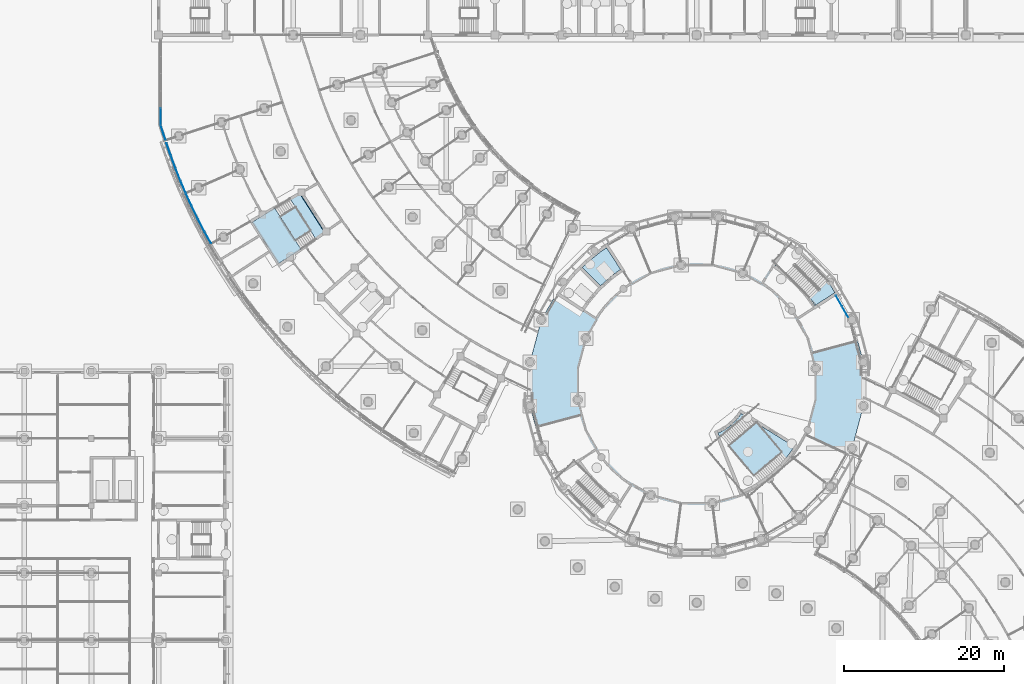
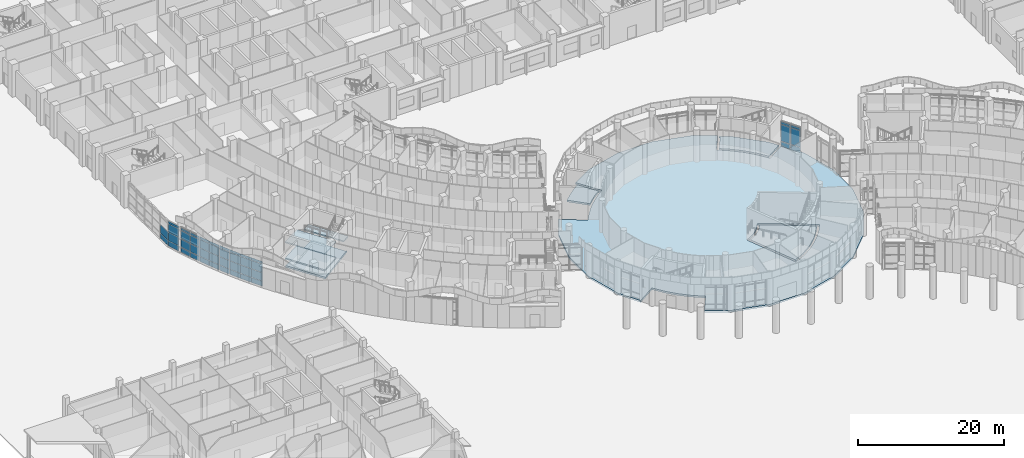
# One storey, part 43 of 146: 44 plates, 8 slabs, 6 elements without a shape of their own.
"""IFC4 building model written with IfcOpenShell, lengths in metres."""

from ifc_helpers import new_model, si_unit, direction, frame, origin, origin_2d, place, context, subcontext, project, spatial, polyline, rectangle, outline, extrude, material, layer, layer_set, type_object, element, aggregate, save


model = new_model("IFC4")

# Units and contexts
model_context = context("Model", 3, precision=1e-05, world=origin(), true_north=direction((0.0, 1.0)))
body_context = subcontext(model_context, "Body", "Model", "MODEL_VIEW")
ifc_project = project(units=[si_unit("LENGTHUNIT", "METRE"), si_unit("AREAUNIT", "SQUARE_METRE"), si_unit("VOLUMEUNIT", "CUBIC_METRE"), si_unit("PLANEANGLEUNIT", "RADIAN"), si_unit("MASSUNIT", "GRAM", prefix="KILO")], contexts=[model_context])

# Site, building, storey
site_placement = place(None, origin())
site = spatial("IfcSite", under=ifc_project, at=site_placement, CompositionType="ELEMENT")
building_placement = place(site_placement, origin())
building = spatial("IfcBuilding", under=site, at=building_placement, Name="Bougainvillea Quay General Hospital", CompositionType="ELEMENT")
storey_placement = place(building_placement, origin())
storey = spatial("IfcBuildingStorey", under=building, at=storey_placement, Name="L00", CompositionType="ELEMENT", Elevation=0.0)

# Curtain wall, plate
ifc_material_1 = material(Name="Aluminium curtain wall system, powder-coated glazed", Category="aluminium")
curtain_wall_type_1 = type_object("IfcCurtainWallType", Name="Unitised curtain wall CW-2157", PredefinedType="NOTDEFINED", material=ifc_material_1)
curtain_wall_1_placement = place(storey_placement, origin())
curtain_wall_1 = element("IfcCurtainWall", 1, at=curtain_wall_1_placement, inside=storey, type_object=curtain_wall_type_1, Name="CW-AE 00", PredefinedType="NOTDEFINED")
ifc_material_2 = material(Name="Insulated aluminium spandrel panel, white", Category="aluminium")
ifc_layer_1 = layer(ifc_material_2, 0.028076171875)
ifc_layer_set_1 = layer_set([ifc_layer_1], Name="Insulated aluminium spandrel panel, white")
plate_type_1 = type_object("IfcPlateType", Name="Insulated spandrel panel white 28", PredefinedType="CURTAIN_PANEL", material=ifc_layer_set_1)
plate_1_placement = place(storey_placement, frame((42.25, 107.389404296875, 0.06005859375), z_axis=(0.0, 0.0, 1.0), x_axis=(0.0, -1.0, 0.0)))
plate_1 = element("IfcPlate", 2, at=plate_1_placement, type_object=plate_type_1, Name="CW-AE spandrel panel 5.1", PredefinedType="CURTAIN_PANEL", context=body_context, shape_type="SweptSolid", body=[
    extrude(rectangle(XDim=2.06689453125, YDim=0.028076171875, at=origin_2d()), origin(), (0.0, 0.0, 1.0), 0.81005859375),
])

# Curtain wall, plates
curtain_wall_type_2 = type_object("IfcCurtainWallType", Name="Unitised curtain wall CW-2027", PredefinedType="NOTDEFINED", material=ifc_material_1)
curtain_wall_2_placement = place(storey_placement, origin())
curtain_wall_2 = element("IfcCurtainWall", 3, at=curtain_wall_2_placement, inside=storey, type_object=curtain_wall_type_2, Name="CW-AE 00", PredefinedType="NOTDEFINED")
plate_2_placement = place(storey_placement, frame((42.55078125, 105.40966796875, 0.06005859375), z_axis=(0.0, 0.0, 1.0), x_axis=(0.30896330961, -0.951073957858, 0.0)))
plate_2 = element("IfcPlate", 4, at=plate_2_placement, type_object=plate_type_1, Name="CW-AE spandrel panel 1.1", PredefinedType="CURTAIN_PANEL", context=body_context, shape_type="SweptSolid", body=[
    extrude(rectangle(XDim=1.90625, YDim=0.028076171875, at=origin_2d()), origin(), (0.0, 0.0, 1.0), 0.81005859375),
])
plate_3_placement = place(storey_placement, frame((42.55078125, 105.40966796875, 3.7802734375), z_axis=(0.0, 0.0, 1.0), x_axis=(0.30896330961, -0.951073957858, 0.0)))
plate_3 = element("IfcPlate", 5, at=plate_3_placement, type_object=plate_type_1, Name="CW-AE spandrel panel 1.4", PredefinedType="CURTAIN_PANEL", context=body_context, shape_type="SweptSolid", body=[
    extrude(rectangle(XDim=1.90625, YDim=0.028076171875, at=origin_2d()), origin(), (0.0, 0.0, 1.0), 0.409912109375),
])

curtain_wall_type_3 = type_object("IfcCurtainWallType", Name="Unitised curtain wall CW-2100", PredefinedType="NOTDEFINED", material=ifc_material_1)
curtain_wall_3_placement = place(storey_placement, origin())
curtain_wall_3 = element("IfcCurtainWall", 6, at=curtain_wall_3_placement, inside=storey, type_object=curtain_wall_type_3, Name="CW-W07 a01b6", PredefinedType="NOTDEFINED")
plate_4_placement = place(storey_placement, frame((48.135009765625, 92.305419921875, 0.06005859375), z_axis=(0.0, 0.0, 1.0), x_axis=(-0.483305302697, 0.875451874397, 0.0)))
plate_4 = element("IfcPlate", 7, at=plate_4_placement, type_object=plate_type_1, Name="CW-W07 spandrel panel 1.1", PredefinedType="CURTAIN_PANEL", context=body_context, shape_type="SweptSolid", body=[
    extrude(rectangle(XDim=1.6787109375, YDim=0.028076171875, at=origin_2d()), origin(), (0.0, 0.0, 1.0), 0.81005859375),
])
plate_5_placement = place(storey_placement, frame((48.135009765625, 92.305419921875, 3.7802734375), z_axis=(0.0, 0.0, 1.0), x_axis=(-0.483305302697, 0.875451874397, 0.0)))
plate_5 = element("IfcPlate", 8, at=plate_5_placement, type_object=plate_type_1, Name="CW-W07 spandrel panel 1.4", PredefinedType="CURTAIN_PANEL", context=body_context, shape_type="SweptSolid", body=[
    extrude(rectangle(XDim=1.6787109375, YDim=0.028076171875, at=origin_2d()), origin(), (0.0, 0.0, 1.0), 0.409912109375),
])
plate_6_placement = place(storey_placement, frame((47.30712890625, 93.851318359375, 0.06005859375), z_axis=(0.0, 0.0, 1.0), x_axis=(-0.460951141948, 0.887425515036, 0.0)))
plate_6 = element("IfcPlate", 9, at=plate_6_placement, type_object=plate_type_1, Name="CW-W07 spandrel panel 2.1", PredefinedType="CURTAIN_PANEL", context=body_context, shape_type="SweptSolid", body=[
    extrude(rectangle(XDim=1.708740234375, YDim=0.028076171875, at=origin_2d()), origin(), (0.0, 0.0, 1.0), 0.81005859375),
])
plate_7_placement = place(storey_placement, frame((47.30712890625, 93.851318359375, 3.7802734375), z_axis=(0.0, 0.0, 1.0), x_axis=(-0.460951141948, 0.887425515036, 0.0)))
plate_7 = element("IfcPlate", 10, at=plate_7_placement, type_object=plate_type_1, Name="CW-W07 spandrel panel 2.4", PredefinedType="CURTAIN_PANEL", context=body_context, shape_type="SweptSolid", body=[
    extrude(rectangle(XDim=1.708740234375, YDim=0.028076171875, at=origin_2d()), origin(), (0.0, 0.0, 1.0), 0.409912109375),
])
plate_8_placement = place(storey_placement, frame((46.51171875, 95.430908203125, 0.06005859375), z_axis=(0.0, 0.0, 1.0), x_axis=(-0.438300554318, 0.898828473116, 0.0)))
plate_8 = element("IfcPlate", 11, at=plate_8_placement, type_object=plate_type_1, Name="CW-W07 spandrel panel 3.1", PredefinedType="CURTAIN_PANEL", context=body_context, shape_type="SweptSolid", body=[
    extrude(rectangle(XDim=1.708740234375, YDim=0.028076171875, at=origin_2d()), origin(), (0.0, 0.0, 1.0), 0.81005859375),
])
plate_9_placement = place(storey_placement, frame((46.51171875, 95.430908203125, 3.7802734375), z_axis=(0.0, 0.0, 1.0), x_axis=(-0.438300554318, 0.898828473116, 0.0)))
plate_9 = element("IfcPlate", 12, at=plate_9_placement, type_object=plate_type_1, Name="CW-W07 spandrel panel 3.4", PredefinedType="CURTAIN_PANEL", context=body_context, shape_type="SweptSolid", body=[
    extrude(rectangle(XDim=1.708740234375, YDim=0.028076171875, at=origin_2d()), origin(), (0.0, 0.0, 1.0), 0.409912109375),
])
plate_10_placement = place(storey_placement, frame((45.762939453125, 97.016845703125, 0.06005859375), z_axis=(0.0, 0.0, 1.0), x_axis=(-0.415368105869, 0.909653415663, 0.0)))
plate_10 = element("IfcPlate", 13, at=plate_10_placement, type_object=plate_type_1, Name="CW-W07 spandrel panel 4.1", PredefinedType="CURTAIN_PANEL", context=body_context, shape_type="SweptSolid", body=[
    extrude(rectangle(XDim=1.6787109375, YDim=0.028076171875, at=origin_2d()), origin(), (0.0, 0.0, 1.0), 0.81005859375),
])
plate_11_placement = place(storey_placement, frame((45.762939453125, 97.016845703125, 3.7802734375), z_axis=(0.0, 0.0, 1.0), x_axis=(-0.415368105869, 0.909653415663, 0.0)))
plate_11 = element("IfcPlate", 14, at=plate_11_placement, type_object=plate_type_1, Name="CW-W07 spandrel panel 4.4", PredefinedType="CURTAIN_PANEL", context=body_context, shape_type="SweptSolid", body=[
    extrude(rectangle(XDim=1.6787109375, YDim=0.028076171875, at=origin_2d()), origin(), (0.0, 0.0, 1.0), 0.409912109375),
])

curtain_wall_4_placement = place(storey_placement, origin())
curtain_wall_4 = element("IfcCurtainWall", 15, at=curtain_wall_4_placement, inside=storey, type_object=curtain_wall_type_3, Name="CW-W08 a01b7", PredefinedType="NOTDEFINED")
plate_12_placement = place(storey_placement, frame((45.052734375, 98.623779296875, 0.06005859375), z_axis=(0.0, 0.0, 1.0), x_axis=(-0.392718634519, 0.919658672607, 0.0)))
plate_12 = element("IfcPlate", 16, at=plate_12_placement, type_object=plate_type_1, Name="CW-W08 spandrel panel 1.1", PredefinedType="CURTAIN_PANEL", context=body_context, shape_type="SweptSolid", body=[
    extrude(rectangle(XDim=1.595458984375, YDim=0.028076171875, at=origin_2d()), origin(), (0.0, 0.0, 1.0), 0.81005859375),
])
plate_13_placement = place(storey_placement, frame((45.052734375, 98.623779296875, 3.7802734375), z_axis=(0.0, 0.0, 1.0), x_axis=(-0.392718634519, 0.919658672607, 0.0)))
plate_13 = element("IfcPlate", 17, at=plate_13_placement, type_object=plate_type_1, Name="CW-W08 spandrel panel 1.4", PredefinedType="CURTAIN_PANEL", context=body_context, shape_type="SweptSolid", body=[
    extrude(rectangle(XDim=1.595458984375, YDim=0.028076171875, at=origin_2d()), origin(), (0.0, 0.0, 1.0), 0.409912109375),
])
plate_14_placement = place(storey_placement, frame((44.41552734375, 100.167724609375, 0.06005859375), z_axis=(0.0, 0.0, 1.0), x_axis=(-0.370383986757, 0.928878733934, 0.0)))
plate_14 = element("IfcPlate", 18, at=plate_14_placement, type_object=plate_type_1, Name="CW-W08 spandrel panel 2.1", PredefinedType="CURTAIN_PANEL", context=body_context, shape_type="SweptSolid", body=[
    extrude(rectangle(XDim=1.625244140625, YDim=0.028076171875, at=origin_2d()), origin(), (0.0, 0.0, 1.0), 0.81005859375),
])
plate_15_placement = place(storey_placement, frame((44.41552734375, 100.167724609375, 3.7802734375), z_axis=(0.0, 0.0, 1.0), x_axis=(-0.370383986757, 0.928878733934, 0.0)))
plate_15 = element("IfcPlate", 19, at=plate_15_placement, type_object=plate_type_1, Name="CW-W08 spandrel panel 2.4", PredefinedType="CURTAIN_PANEL", context=body_context, shape_type="SweptSolid", body=[
    extrude(rectangle(XDim=1.625244140625, YDim=0.028076171875, at=origin_2d()), origin(), (0.0, 0.0, 1.0), 0.409912109375),
])
plate_16_placement = place(storey_placement, frame((43.810302734375, 101.740478515625, 0.06005859375), z_axis=(0.0, 0.0, 1.0), x_axis=(-0.347833091778, 0.937556473107, 0.0)))
plate_16 = element("IfcPlate", 20, at=plate_16_placement, type_object=plate_type_1, Name="CW-W08 spandrel panel 3.1", PredefinedType="CURTAIN_PANEL", context=body_context, shape_type="SweptSolid", body=[
    extrude(rectangle(XDim=1.625244140625, YDim=0.028076171875, at=origin_2d()), origin(), (0.0, 0.0, 1.0), 0.81005859375),
])
plate_17_placement = place(storey_placement, frame((43.810302734375, 101.740478515625, 3.7802734375), z_axis=(0.0, 0.0, 1.0), x_axis=(-0.347833091778, 0.937556473107, 0.0)))
plate_17 = element("IfcPlate", 21, at=plate_17_placement, type_object=plate_type_1, Name="CW-W08 spandrel panel 3.4", PredefinedType="CURTAIN_PANEL", context=body_context, shape_type="SweptSolid", body=[
    extrude(rectangle(XDim=1.625244140625, YDim=0.028076171875, at=origin_2d()), origin(), (0.0, 0.0, 1.0), 0.409912109375),
])
plate_18_placement = place(storey_placement, frame((43.248046875, 103.313232421875, 0.06005859375), z_axis=(0.0, 0.0, 1.0), x_axis=(-0.325079115849, 0.945686823657, 0.0)))
plate_18 = element("IfcPlate", 22, at=plate_18_placement, type_object=plate_type_1, Name="CW-W08 spandrel panel 4.1", PredefinedType="CURTAIN_PANEL", context=body_context, shape_type="SweptSolid", body=[
    extrude(rectangle(XDim=1.595458984375, YDim=0.028076171875, at=origin_2d()), origin(), (0.0, 0.0, 1.0), 0.81005859375),
])
plate_19_placement = place(storey_placement, frame((43.248046875, 103.313232421875, 3.7802734375), z_axis=(0.0, 0.0, 1.0), x_axis=(-0.325079115849, 0.945686823657, 0.0)))
plate_19 = element("IfcPlate", 23, at=plate_19_placement, type_object=plate_type_1, Name="CW-W08 spandrel panel 4.4", PredefinedType="CURTAIN_PANEL", context=body_context, shape_type="SweptSolid", body=[
    extrude(rectangle(XDim=1.595458984375, YDim=0.028076171875, at=origin_2d()), origin(), (0.0, 0.0, 1.0), 0.409912109375),
])

curtain_wall_type_4 = type_object("IfcCurtainWallType", Name="Unitised curtain wall CW-1585", PredefinedType="NOTDEFINED", material=ifc_material_1)
curtain_wall_5_placement = place(storey_placement, origin())
curtain_wall_5 = element("IfcCurtainWall", 24, at=curtain_wall_5_placement, inside=storey, type_object=curtain_wall_type_4, Name="CW-D 00", PredefinedType="NOTDEFINED")
plate_20_placement = place(storey_placement, frame((127.745849609375, 83.017333984375, 0.06005859375), z_axis=(0.0, 0.0, 1.0), x_axis=(-0.499964557262, 0.866045865692, 0.0)))
plate_20 = element("IfcPlate", 25, at=plate_20_placement, type_object=plate_type_1, Name="CW-D spandrel panel 1.1", PredefinedType="CURTAIN_PANEL", context=body_context, shape_type="SweptSolid", body=[
    extrude(rectangle(XDim=1.494873046875, YDim=0.028076171875, at=origin_2d()), origin(), (0.0, 0.0, 1.0), 0.81005859375),
])
plate_21_placement = place(storey_placement, frame((127.745849609375, 83.017333984375, 3.7802734375), z_axis=(0.0, 0.0, 1.0), x_axis=(-0.499964557262, 0.866045865692, 0.0)))
plate_21 = element("IfcPlate", 26, at=plate_21_placement, type_object=plate_type_1, Name="CW-D spandrel panel 1.3", PredefinedType="CURTAIN_PANEL", context=body_context, shape_type="SweptSolid", body=[
    extrude(rectangle(XDim=1.494873046875, YDim=0.028076171875, at=origin_2d()), origin(), (0.0, 0.0, 1.0), 0.409912109375),
])
plate_22_placement = place(storey_placement, frame((126.968505859375, 84.364013671875, 0.06005859375), z_axis=(0.0, 0.0, 1.0), x_axis=(-0.499964557262, 0.866045865692, 0.0)))
plate_22 = element("IfcPlate", 27, at=plate_22_placement, type_object=plate_type_1, Name="CW-D spandrel panel 2.1", PredefinedType="CURTAIN_PANEL", context=body_context, shape_type="SweptSolid", body=[
    extrude(rectangle(XDim=1.494873046875, YDim=0.028076171875, at=origin_2d()), origin(), (0.0, 0.0, 1.0), 0.81005859375),
])
plate_23_placement = place(storey_placement, frame((126.968505859375, 84.364013671875, 3.7802734375), z_axis=(0.0, 0.0, 1.0), x_axis=(-0.499964557262, 0.866045865692, 0.0)))
plate_23 = element("IfcPlate", 28, at=plate_23_placement, type_object=plate_type_1, Name="CW-D spandrel panel 2.3", PredefinedType="CURTAIN_PANEL", context=body_context, shape_type="SweptSolid", body=[
    extrude(rectangle(XDim=1.494873046875, YDim=0.028076171875, at=origin_2d()), origin(), (0.0, 0.0, 1.0), 0.409912109375),
])

# Plate
ifc_material_3 = material(Name="Low-e laminated glass, solar control", Category="glass")
ifc_layer_2 = layer(ifc_material_3, 0.028076171875)
ifc_layer_set_2 = layer_set([ifc_layer_2], Name="Low-e laminated glass, solar control")
plate_type_2 = type_object("IfcPlateType", Name="Low-e laminated vision glass 28", PredefinedType="CURTAIN_PANEL", material=ifc_layer_set_2)
plate_24_placement = place(storey_placement, frame((42.25, 107.389404296875, 0.93017578125), z_axis=(0.0, 0.0, 1.0), x_axis=(0.0, -1.0, 0.0)))
plate_24 = element("IfcPlate", 29, at=plate_24_placement, type_object=plate_type_2, Name="CW-AE vision glass panel 5.2", PredefinedType="CURTAIN_PANEL", context=body_context, shape_type="SweptSolid", body=[
    extrude(rectangle(XDim=2.06689453125, YDim=0.028076171875, at=origin_2d()), origin(), (0.0, 0.0, 1.0), 1.364990234375),
])

aggregate(curtain_wall_1, [plate_1, plate_24])

plate_25_placement = place(storey_placement, frame((42.55078125, 105.40966796875, 0.93017578125), z_axis=(0.0, 0.0, 1.0), x_axis=(0.30896330961, -0.951073957858, 0.0)))
plate_25 = element("IfcPlate", 30, at=plate_25_placement, type_object=plate_type_2, Name="CW-AE vision glass panel 1.2", PredefinedType="CURTAIN_PANEL", context=body_context, shape_type="SweptSolid", body=[
    extrude(rectangle(XDim=1.90625, YDim=0.028076171875, at=origin_2d()), origin(), (0.0, 0.0, 1.0), 1.364990234375),
])

plate_26_placement = place(storey_placement, frame((42.55078125, 105.40966796875, 2.35498046875), z_axis=(0.0, 0.0, 1.0), x_axis=(0.30896330961, -0.951073957858, 0.0)))
plate_26 = element("IfcPlate", 31, at=plate_26_placement, type_object=plate_type_2, Name="CW-AE vision glass panel 1.3", PredefinedType="CURTAIN_PANEL", context=body_context, shape_type="SweptSolid", body=[
    extrude(rectangle(XDim=1.90625, YDim=0.028076171875, at=origin_2d()), origin(), (0.0, 0.0, 1.0), 1.364990234375),
])

aggregate(curtain_wall_2, [plate_2, plate_25, plate_26, plate_3])

plate_27_placement = place(storey_placement, frame((48.135009765625, 92.305419921875, 0.93017578125), z_axis=(0.0, 0.0, 1.0), x_axis=(-0.483305302697, 0.875451874397, 0.0)))
plate_27 = element("IfcPlate", 32, at=plate_27_placement, type_object=plate_type_2, Name="CW-W07 vision glass panel 1.2", PredefinedType="CURTAIN_PANEL", context=body_context, shape_type="SweptSolid", body=[
    extrude(rectangle(XDim=1.6787109375, YDim=0.028076171875, at=origin_2d()), origin(), (0.0, 0.0, 1.0), 1.364990234375),
])

plate_28_placement = place(storey_placement, frame((48.135009765625, 92.305419921875, 2.35498046875), z_axis=(0.0, 0.0, 1.0), x_axis=(-0.483305302697, 0.875451874397, 0.0)))
plate_28 = element("IfcPlate", 33, at=plate_28_placement, type_object=plate_type_2, Name="CW-W07 vision glass panel 1.3", PredefinedType="CURTAIN_PANEL", context=body_context, shape_type="SweptSolid", body=[
    extrude(rectangle(XDim=1.6787109375, YDim=0.028076171875, at=origin_2d()), origin(), (0.0, 0.0, 1.0), 1.364990234375),
])

plate_29_placement = place(storey_placement, frame((47.30712890625, 93.851318359375, 0.93017578125), z_axis=(0.0, 0.0, 1.0), x_axis=(-0.460951141948, 0.887425515036, 0.0)))
plate_29 = element("IfcPlate", 34, at=plate_29_placement, type_object=plate_type_2, Name="CW-W07 vision glass panel 2.2", PredefinedType="CURTAIN_PANEL", context=body_context, shape_type="SweptSolid", body=[
    extrude(rectangle(XDim=1.708740234375, YDim=0.028076171875, at=origin_2d()), origin(), (0.0, 0.0, 1.0), 1.364990234375),
])

plate_30_placement = place(storey_placement, frame((47.30712890625, 93.851318359375, 2.35498046875), z_axis=(0.0, 0.0, 1.0), x_axis=(-0.460951141948, 0.887425515036, 0.0)))
plate_30 = element("IfcPlate", 35, at=plate_30_placement, type_object=plate_type_2, Name="CW-W07 vision glass panel 2.3", PredefinedType="CURTAIN_PANEL", context=body_context, shape_type="SweptSolid", body=[
    extrude(rectangle(XDim=1.708740234375, YDim=0.028076171875, at=origin_2d()), origin(), (0.0, 0.0, 1.0), 1.364990234375),
])

plate_31_placement = place(storey_placement, frame((46.51171875, 95.430908203125, 0.93017578125), z_axis=(0.0, 0.0, 1.0), x_axis=(-0.438300554318, 0.898828473116, 0.0)))
plate_31 = element("IfcPlate", 36, at=plate_31_placement, type_object=plate_type_2, Name="CW-W07 vision glass panel 3.2", PredefinedType="CURTAIN_PANEL", context=body_context, shape_type="SweptSolid", body=[
    extrude(rectangle(XDim=1.708740234375, YDim=0.028076171875, at=origin_2d()), origin(), (0.0, 0.0, 1.0), 1.364990234375),
])

plate_32_placement = place(storey_placement, frame((46.51171875, 95.430908203125, 2.35498046875), z_axis=(0.0, 0.0, 1.0), x_axis=(-0.438300554318, 0.898828473116, 0.0)))
plate_32 = element("IfcPlate", 37, at=plate_32_placement, type_object=plate_type_2, Name="CW-W07 vision glass panel 3.3", PredefinedType="CURTAIN_PANEL", context=body_context, shape_type="SweptSolid", body=[
    extrude(rectangle(XDim=1.708740234375, YDim=0.028076171875, at=origin_2d()), origin(), (0.0, 0.0, 1.0), 1.364990234375),
])

plate_33_placement = place(storey_placement, frame((45.762939453125, 97.016845703125, 0.93017578125), z_axis=(0.0, 0.0, 1.0), x_axis=(-0.415368105869, 0.909653415663, 0.0)))
plate_33 = element("IfcPlate", 38, at=plate_33_placement, type_object=plate_type_2, Name="CW-W07 vision glass panel 4.2", PredefinedType="CURTAIN_PANEL", context=body_context, shape_type="SweptSolid", body=[
    extrude(rectangle(XDim=1.6787109375, YDim=0.028076171875, at=origin_2d()), origin(), (0.0, 0.0, 1.0), 1.364990234375),
])

plate_34_placement = place(storey_placement, frame((45.762939453125, 97.016845703125, 2.35498046875), z_axis=(0.0, 0.0, 1.0), x_axis=(-0.415368105869, 0.909653415663, 0.0)))
plate_34 = element("IfcPlate", 39, at=plate_34_placement, type_object=plate_type_2, Name="CW-W07 vision glass panel 4.3", PredefinedType="CURTAIN_PANEL", context=body_context, shape_type="SweptSolid", body=[
    extrude(rectangle(XDim=1.6787109375, YDim=0.028076171875, at=origin_2d()), origin(), (0.0, 0.0, 1.0), 1.364990234375),
])

aggregate(curtain_wall_3, [plate_4, plate_27, plate_28, plate_5, plate_6, plate_29, plate_30, plate_7, plate_8, plate_31, plate_32, plate_9, plate_10, plate_33, plate_34, plate_11])

plate_35_placement = place(storey_placement, frame((45.052734375, 98.623779296875, 0.93017578125), z_axis=(0.0, 0.0, 1.0), x_axis=(-0.392718634519, 0.919658672607, 0.0)))
plate_35 = element("IfcPlate", 40, at=plate_35_placement, type_object=plate_type_2, Name="CW-W08 vision glass panel 1.2", PredefinedType="CURTAIN_PANEL", context=body_context, shape_type="SweptSolid", body=[
    extrude(rectangle(XDim=1.595458984375, YDim=0.028076171875, at=origin_2d()), origin(), (0.0, 0.0, 1.0), 1.364990234375),
])

plate_36_placement = place(storey_placement, frame((45.052734375, 98.623779296875, 2.35498046875), z_axis=(0.0, 0.0, 1.0), x_axis=(-0.392718634519, 0.919658672607, 0.0)))
plate_36 = element("IfcPlate", 41, at=plate_36_placement, type_object=plate_type_2, Name="CW-W08 vision glass panel 1.3", PredefinedType="CURTAIN_PANEL", context=body_context, shape_type="SweptSolid", body=[
    extrude(rectangle(XDim=1.595458984375, YDim=0.028076171875, at=origin_2d()), origin(), (0.0, 0.0, 1.0), 1.364990234375),
])

plate_37_placement = place(storey_placement, frame((44.41552734375, 100.167724609375, 0.93017578125), z_axis=(0.0, 0.0, 1.0), x_axis=(-0.370383986757, 0.928878733934, 0.0)))
plate_37 = element("IfcPlate", 42, at=plate_37_placement, type_object=plate_type_2, Name="CW-W08 vision glass panel 2.2", PredefinedType="CURTAIN_PANEL", context=body_context, shape_type="SweptSolid", body=[
    extrude(rectangle(XDim=1.625244140625, YDim=0.028076171875, at=origin_2d()), origin(), (0.0, 0.0, 1.0), 1.364990234375),
])

plate_38_placement = place(storey_placement, frame((44.41552734375, 100.167724609375, 2.35498046875), z_axis=(0.0, 0.0, 1.0), x_axis=(-0.370383986757, 0.928878733934, 0.0)))
plate_38 = element("IfcPlate", 43, at=plate_38_placement, type_object=plate_type_2, Name="CW-W08 vision glass panel 2.3", PredefinedType="CURTAIN_PANEL", context=body_context, shape_type="SweptSolid", body=[
    extrude(rectangle(XDim=1.625244140625, YDim=0.028076171875, at=origin_2d()), origin(), (0.0, 0.0, 1.0), 1.364990234375),
])

plate_39_placement = place(storey_placement, frame((43.810302734375, 101.740478515625, 0.93017578125), z_axis=(0.0, 0.0, 1.0), x_axis=(-0.347833091778, 0.937556473107, 0.0)))
plate_39 = element("IfcPlate", 44, at=plate_39_placement, type_object=plate_type_2, Name="CW-W08 vision glass panel 3.2", PredefinedType="CURTAIN_PANEL", context=body_context, shape_type="SweptSolid", body=[
    extrude(rectangle(XDim=1.625244140625, YDim=0.028076171875, at=origin_2d()), origin(), (0.0, 0.0, 1.0), 1.364990234375),
])

plate_40_placement = place(storey_placement, frame((43.810302734375, 101.740478515625, 2.35498046875), z_axis=(0.0, 0.0, 1.0), x_axis=(-0.347833091778, 0.937556473107, 0.0)))
plate_40 = element("IfcPlate", 45, at=plate_40_placement, type_object=plate_type_2, Name="CW-W08 vision glass panel 3.3", PredefinedType="CURTAIN_PANEL", context=body_context, shape_type="SweptSolid", body=[
    extrude(rectangle(XDim=1.625244140625, YDim=0.028076171875, at=origin_2d()), origin(), (0.0, 0.0, 1.0), 1.364990234375),
])

plate_41_placement = place(storey_placement, frame((43.248046875, 103.313232421875, 0.93017578125), z_axis=(0.0, 0.0, 1.0), x_axis=(-0.325079115849, 0.945686823657, 0.0)))
plate_41 = element("IfcPlate", 46, at=plate_41_placement, type_object=plate_type_2, Name="CW-W08 vision glass panel 4.2", PredefinedType="CURTAIN_PANEL", context=body_context, shape_type="SweptSolid", body=[
    extrude(rectangle(XDim=1.595458984375, YDim=0.028076171875, at=origin_2d()), origin(), (0.0, 0.0, 1.0), 1.364990234375),
])

plate_42_placement = place(storey_placement, frame((43.248046875, 103.313232421875, 2.35498046875), z_axis=(0.0, 0.0, 1.0), x_axis=(-0.325079115849, 0.945686823657, 0.0)))
plate_42 = element("IfcPlate", 47, at=plate_42_placement, type_object=plate_type_2, Name="CW-W08 vision glass panel 4.3", PredefinedType="CURTAIN_PANEL", context=body_context, shape_type="SweptSolid", body=[
    extrude(rectangle(XDim=1.595458984375, YDim=0.028076171875, at=origin_2d()), origin(), (0.0, 0.0, 1.0), 1.364990234375),
])

aggregate(curtain_wall_4, [plate_12, plate_35, plate_36, plate_13, plate_14, plate_37, plate_38, plate_15, plate_16, plate_39, plate_40, plate_17, plate_18, plate_41, plate_42, plate_19])

plate_43_placement = place(storey_placement, frame((127.745849609375, 83.017333984375, 0.929931640625), z_axis=(0.0, 0.0, 1.0), x_axis=(-0.499964557262, 0.866045865692, 0.0)))
plate_43 = element("IfcPlate", 48, at=plate_43_placement, type_object=plate_type_2, Name="CW-D vision glass panel 1.2", PredefinedType="CURTAIN_PANEL", context=body_context, shape_type="SweptSolid", body=[
    extrude(rectangle(XDim=1.494873046875, YDim=0.028076171875, at=origin_2d()), origin(), (0.0, 0.0, 1.0), 2.7900390625),
])

plate_44_placement = place(storey_placement, frame((126.968505859375, 84.364013671875, 0.929931640625), z_axis=(0.0, 0.0, 1.0), x_axis=(-0.499964557262, 0.866045865692, 0.0)))
plate_44 = element("IfcPlate", 49, at=plate_44_placement, type_object=plate_type_2, Name="CW-D vision glass panel 2.2", PredefinedType="CURTAIN_PANEL", context=body_context, shape_type="SweptSolid", body=[
    extrude(rectangle(XDim=1.494873046875, YDim=0.028076171875, at=origin_2d()), origin(), (0.0, 0.0, 1.0), 2.7900390625),
])

aggregate(curtain_wall_5, [plate_20, plate_43, plate_21, plate_22, plate_44, plate_23])

# Slabs
ifc_material_4 = material(Name="Concrete C35", Category="concrete")
ifc_layer_3 = layer(ifc_material_4, 0.300048828125)
ifc_layer_set_3 = layer_set([ifc_layer_3], Name="Concrete C35")
slab_type_1 = type_object("IfcSlabType", Name="RC FLAT SLAB 300 C35 GROUND", PredefinedType="BASESLAB", material=ifc_layer_set_3)
slab_1_placement = place(storey_placement, frame((0.0, 0.0, -0.300048828125)))
element("IfcSlab", 50, at=slab_1_placement, inside=storey, type_object=slab_type_1, Name="Slab S1 L00", PredefinedType="BASESLAB", context=body_context, shape_type="SweptSolid", body=[
    extrude(outline(polyline([(128.60107421875, 65.964111328125), (130.02001953125, 71.259033203125), (130.02001953125, 76.740966796875), (128.60107421875, 82.035888671875), (126.7724609375, 85.203125), (123.909423828125, 83.343994140625), (123.72021484375, 83.627197265625), (122.741455078125, 84.96533203125), (121.520751953125, 86.32080078125), (120.165283203125, 87.54150390625), (118.827392578125, 88.520263671875), (118.5439453125, 88.70947265625), (120.316650390625, 91.43115234375), (120.4033203125, 91.572509765625), (117.236083984375, 93.40087890625), (111.94091796875, 94.820068359375), (106.458984375, 94.820068359375), (101.1640625, 93.40087890625), (97.99755859375, 91.572998046875), (98.0322265625, 91.518798828125), (100.18310546875, 88.20556640625), (99.894775390625, 88.015625), (99.311279296875, 87.61083984375), (98.6142578125, 87.075927734375), (97.3017578125, 85.895263671875), (96.69921875, 85.25927734375), (95.587646484375, 83.886962890625), (95.1845703125, 83.305419921875), (94.994384765625, 83.016845703125), (91.68115234375, 85.167724609375), (91.626953125, 85.202392578125), (89.799072265625, 82.035888671875), (88.3798828125, 76.740966796875), (88.3798828125, 71.259033203125), (89.799072265625, 65.964111328125), (91.62744140625, 62.796875), (94.490478515625, 64.656005859375), (94.679931640625, 64.372802734375), (95.65869140625, 63.03466796875), (96.87939453125, 61.67919921875), (98.234619140625, 60.45849609375), (99.57275390625, 59.479736328125), (99.85595703125, 59.29052734375), (98.083251953125, 56.56884765625), (97.99658203125, 56.427490234375), (101.1640625, 54.59912109375), (106.458984375, 53.179931640625), (111.94091796875, 53.179931640625), (117.236083984375, 54.59912109375), (121.98388671875, 57.340087890625), (125.860107421875, 61.216064453125), (128.60107421875, 65.964111328125)]), holes=[polyline([(112.171630859375, 68.417236328125), (112.45751953125, 68.57861328125), (112.73486328125, 68.75537109375), (113.266845703125, 69.156982421875), (113.511474609375, 69.373046875), (113.974853515625, 69.85302734375), (114.18212890625, 70.104248046875), (114.471923828125, 70.51025390625), (114.65625, 70.797119140625), (121.568359375, 66.47802734375), (121.476806640625, 66.33154296875), (121.574462890625, 66.4794921875), (121.866455078125, 66.28662109375), (121.3447265625, 65.496337890625), (120.889404296875, 64.88232421875), (120.88134765625, 64.870849609375), (120.871826171875, 64.8603515625), (119.876953125, 63.71533203125), (119.86474609375, 63.70068359375), (119.8505859375, 63.68798828125), (118.7421875, 62.65380859375), (118.73193359375, 62.6435546875), (118.720458984375, 62.634765625), (118.132080078125, 62.167236328125), (118.12109375, 62.157958984375), (118.10888671875, 62.150390625), (116.849365234375, 61.300537109375), (116.837646484375, 61.292236328125), (116.824951171875, 61.285400390625), (116.1708984375, 60.915771484375), (116.158447265625, 60.908447265625), (116.1455078125, 60.90283203125), (114.920654296875, 60.332275390625), (114.8486328125, 60.48681640625), (114.915771484375, 60.3203125), (114.59130859375, 60.189208984375), (111.4072265625, 68.069580078125), (111.721435546875, 68.201416015625), (112.171630859375, 68.417236328125)])]), origin(), (0.0, 0.0, 1.0), 0.300048828125),
])
slab_2_placement = place(storey_placement, frame((0.0, 0.0, -0.300048828125)))
element("IfcSlab", 51, at=slab_2_placement, inside=storey, type_object=slab_type_1, Name="Slab S1 L00", PredefinedType="BASESLAB", context=body_context, shape_type="SweptSolid", body=[
    extrude(outline(polyline([(112.63818359375, 68.277587890625), (112.3447265625, 68.11181640625), (112.33251953125, 68.1044921875), (112.319580078125, 68.098876953125), (111.86767578125, 67.888427734375), (111.79541015625, 68.042724609375), (114.78125, 60.653564453125), (115.99755859375, 61.22119140625), (116.652587890625, 61.591552734375), (117.9130859375, 62.441650390625), (118.502197265625, 62.91015625), (119.611572265625, 63.945068359375), (120.60693359375, 65.091064453125), (121.05712890625, 65.69775390625), (121.37890625, 66.183837890625), (114.615478515625, 70.409912109375), (114.755126953125, 70.312255859375), (114.47021484375, 69.903564453125), (114.462158203125, 69.8916015625), (114.45263671875, 69.88037109375), (114.24609375, 69.630126953125), (114.2373046875, 69.618896484375), (114.22705078125, 69.608642578125), (113.7646484375, 69.129638671875), (113.754638671875, 69.11865234375), (113.743408203125, 69.109375), (113.49951171875, 68.894287109375), (113.4892578125, 68.884765625), (113.47802734375, 68.87646484375), (112.94677734375, 68.475341796875), (112.935546875, 68.46630859375), (112.923095703125, 68.458984375), (112.63818359375, 68.277587890625)])), origin(), (0.0, 0.0, 1.0), 0.300048828125),
])
slab_3_placement = place(storey_placement, frame((0.0, 0.0, -0.300048828125)))
element("IfcSlab", 52, at=slab_3_placement, inside=storey, type_object=slab_type_1, Name="Slab S1 L00", PredefinedType="BASESLAB", context=body_context, shape_type="SweptSolid", body=[
    extrude(outline(polyline([(119.030517578125, 88.799560546875), (120.371337890625, 87.82568359375), (120.386962890625, 87.81494140625), (120.400634765625, 87.802001953125), (121.75537109375, 86.58203125), (121.76953125, 86.569580078125), (121.781982421875, 86.55517578125), (123.001953125, 85.20068359375), (123.014892578125, 85.186767578125), (123.02587890625, 85.17138671875), (123.999755859375, 83.83056640625), (123.86181640625, 83.730224609375), (126.593505859375, 85.504150390625), (126.446044921875, 85.4189453125), (125.719482421875, 86.67626953125), (121.876220703125, 90.51953125), (120.463623046875, 91.335693359375), (120.6064453125, 91.242919921875), (118.93017578125, 88.661865234375), (119.030517578125, 88.799560546875)])), origin(), (0.0, 0.0, 1.0), 0.300048828125),
])
slab_4_placement = place(storey_placement, frame((0.0, 0.0, -0.300048828125)))
element("IfcSlab", 53, at=slab_4_placement, inside=storey, type_object=slab_type_1, Name="Slab S1 L00", PredefinedType="BASESLAB", context=body_context, shape_type="SweptSolid", body=[
    extrude(outline(polyline([(97.93115234375, 91.031005859375), (97.197265625, 90.525146484375), (95.531982421875, 89.177001953125), (94.884765625, 88.562744140625), (97.1796875, 86.2685546875), (98.379150390625, 87.336669921875), (98.389404296875, 87.346435546875), (98.40087890625, 87.354736328125), (99.10498046875, 87.894775390625), (99.69775390625, 88.302001953125), (99.79541015625, 88.15966796875), (97.93115234375, 91.031005859375)])), origin(), (0.0, 0.0, 1.0), 0.300048828125),
])
slab_5_placement = place(storey_placement, frame((0.0, 0.0, -0.300048828125)))
element("IfcSlab", 54, at=slab_5_placement, inside=storey, type_object=slab_type_1, Name="Slab S1 L00", PredefinedType="BASESLAB", context=body_context, shape_type="SweptSolid", body=[
    extrude(outline(polyline([(59.91650390625, 97.77001953125), (53.814453125, 94.2998046875), (57.1064453125, 89.139404296875), (62.826171875, 93.210205078125), (62.682373046875, 93.118408203125), (59.772705078125, 97.67822265625), (59.91650390625, 97.77001953125)])), origin(), (0.0, 0.0, 1.0), 0.300048828125),
])

# Stair, slabs
stair_type = type_object("IfcStairType", Name="Stair half-turn 1350 wide", PredefinedType="HALF_TURN_STAIR", material=ifc_material_4)
stair_placement = place(storey_placement, origin())
stair = element("IfcStair", 55, at=stair_placement, inside=storey, type_object=stair_type, Name="L00 stair ST-W2", PredefinedType="HALF_TURN_STAIR")
ifc_layer_4 = layer(ifc_material_4, 0.199951171875)
ifc_layer_set_4 = layer_set([ifc_layer_4], Name="Concrete C35")
slab_type_2 = type_object("IfcSlabType", Name="Stair landing 200", PredefinedType="LANDING", material=ifc_layer_set_4)
slab_6_placement = place(storey_placement, frame((0.0, 0.0, 1.14990234375)))
slab_6 = element("IfcSlab", 56, at=slab_6_placement, type_object=slab_type_2, Name="ST-W2 landing 1", PredefinedType="LANDING", context=body_context, shape_type="SweptSolid", body=[
    extrude(outline(polyline([(56.485107421875, 96.00390625), (53.680419921875, 94.214111328125), (56.9736328125, 89.053466796875), (59.7783203125, 90.843017578125), (56.485107421875, 96.00390625)])), origin(), (0.0, 0.0, 1.0), 0.2001953125),
])
slab_7_placement = place(storey_placement, frame((0.0, 0.0, 2.5)))
slab_7 = element("IfcSlab", 57, at=slab_7_placement, type_object=slab_type_2, Name="ST-W2 landing 2", PredefinedType="LANDING", context=body_context, shape_type="SweptSolid", body=[
    extrude(outline(polyline([(59.511474609375, 97.93505859375), (58.37353515625, 97.208740234375), (61.66650390625, 92.048095703125), (62.8046875, 92.774169921875), (59.511474609375, 97.93505859375)])), origin(), (0.0, 0.0, 1.0), 0.199951171875),
])
slab_8_placement = place(storey_placement, frame((0.0, 0.0, 3.85009765625)))
slab_8 = element("IfcSlab", 58, at=slab_8_placement, type_object=slab_type_2, Name="ST-W2 landing 3", PredefinedType="LANDING", context=body_context, shape_type="SweptSolid", body=[
    extrude(outline(polyline([(56.485107421875, 96.00390625), (53.680419921875, 94.214111328125), (56.9736328125, 89.053466796875), (59.7783203125, 90.843017578125), (56.485107421875, 96.00390625)])), origin(), (0.0, 0.0, 1.0), 0.199951171875),
])
aggregate(stair, [slab_6, slab_7, slab_8])

save(model, "model.ifc")
